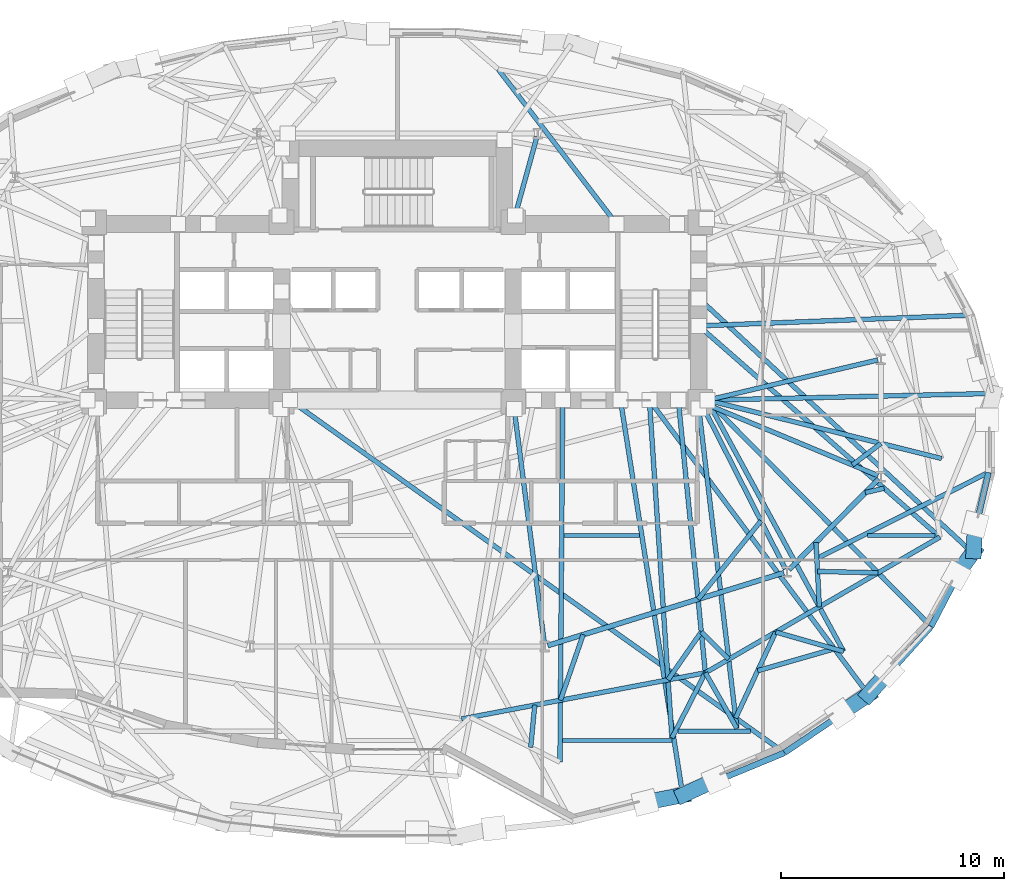
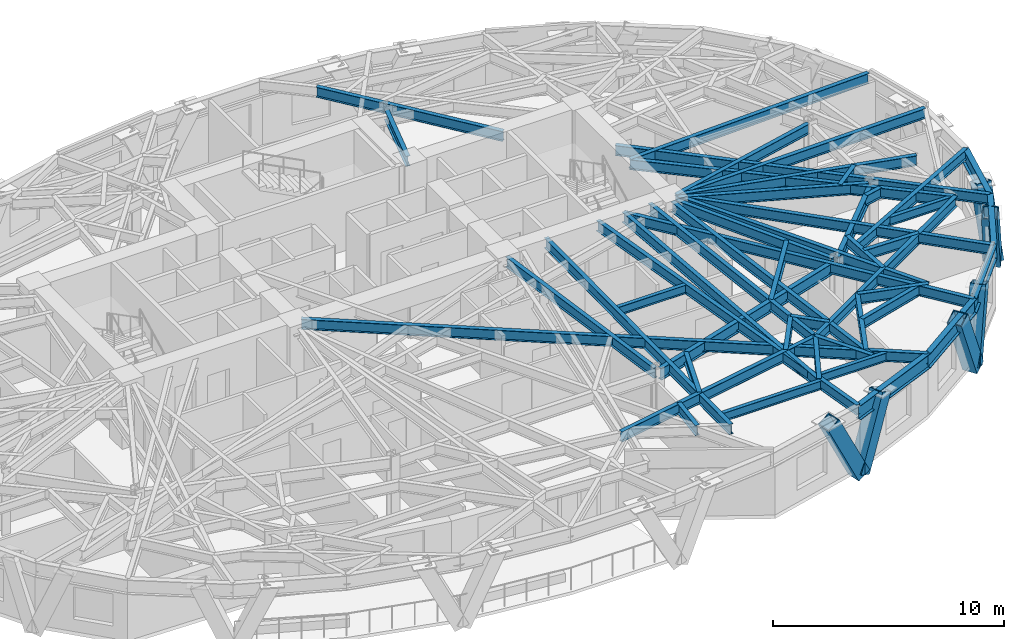
# One storey, part 4 of 15: 48 beams, 6 members.
"""IFC4 building model written with IfcOpenShell, lengths in metres."""

import ifcopenshell
import ifcopenshell.guid

model = None  # the IFC model being written
_history = None  # IfcOwnerHistory: only IFC2X3 demands one
_inside = {}  # id of a spatial element -> (the spatial element, [elements in it])
_under = {}  # id of a project, library or spatial element -> (it, [spatial elements below it])
_declared = {}  # id of a project -> (the project, [libraries it declares])
_typed = {}  # id of a type object -> (the type object, [elements of that type])
_made_of = {}  # id of a material, layer set ... -> (it, [elements and type objects made of it])


def new_model(schema):
    """Start an empty IFC model of exactly this schema.

    Asked for "IFC4X3", IfcOpenShell would pick the latest addendum, in which some entities
    have other attributes; the version numbers below select the first issue.
    IFC2X3 requires an IfcOwnerHistory on every rooted entity: one is made here for all.
    """
    global model, _history
    if schema == "IFC4X3":
        model = ifcopenshell.file(schema_version=(4, 3, 0, 0))
    else:
        model = ifcopenshell.file(schema=schema)
    _inside.clear()
    _under.clear()
    _declared.clear()
    _typed.clear()
    _made_of.clear()
    _history = None
    if model.schema == "IFC2X3":
        org = make("IfcOrganization", Name="unknown")
        user = make(
            "IfcPersonAndOrganization",
            ThePerson=make("IfcPerson", FamilyName="unknown"),
            TheOrganization=org,
        )
        app = make(
            "IfcApplication",
            ApplicationDeveloper=org,
            Version="unknown",
            ApplicationFullName="unknown",
            ApplicationIdentifier="unknown",
        )
        _history = make(
            "IfcOwnerHistory",
            OwningUser=user,
            OwningApplication=app,
            ChangeAction="ADDED",
            CreationDate=0,
        )
    return model


def make(cls, **values):
    """One entity of the class cls with the attributes given. An attribute that is None is left unset."""
    return model.create_entity(
        cls, **{name: value for name, value in values.items() if value is not None}
    )


def rooted(cls, **values):
    """An entity with a GlobalId (a new one), such as an element, a storey or a relation."""
    return make(cls, GlobalId=ifcopenshell.guid.new(), OwnerHistory=_history, **values)


def si_unit(unit_type, name, prefix=None):
    """IfcSIUnit, for example si_unit("LENGTHUNIT", "METRE", prefix="MILLI")."""
    return make("IfcSIUnit", UnitType=unit_type, Prefix=prefix, Name=name)


def assignment(units):
    """IfcUnitAssignment: the units of a project."""
    return None if units is None else make("IfcUnitAssignment", Units=units)


def point(xyz):
    """IfcCartesianPoint."""
    return None if xyz is None else make("IfcCartesianPoint", Coordinates=xyz)


def direction(xyz):
    """IfcDirection."""
    return None if xyz is None else make("IfcDirection", DirectionRatios=xyz)


def frame(location, z_axis=None, x_axis=None):
    """IfcAxis2Placement3D, a coordinate frame: its origin and axes. An axis left out is left unset."""
    return make(
        "IfcAxis2Placement3D",
        Location=point(location),
        Axis=direction(z_axis),
        RefDirection=direction(x_axis),
    )


def frame_2d(location, x_axis=None):
    """IfcAxis2Placement2D, a coordinate frame in the plane: its origin and x axis."""
    return make(
        "IfcAxis2Placement2D", Location=point(location), RefDirection=direction(x_axis)
    )


def origin():
    """The frame at (0, 0, 0) with its axes left unset."""
    return frame((0.0, 0.0, 0.0))


def origin_2d():
    """The frame at (0, 0) in the plane with its x axis left unset."""
    return frame_2d((0.0, 0.0))


def place(relative_to, where):
    """IfcLocalPlacement: puts the frame where relative to a parent placement (None: the world)."""
    return make(
        "IfcLocalPlacement", PlacementRelTo=relative_to, RelativePlacement=where
    )


def context(
    kind, dimensions, precision=None, world=None, true_north=None, identifier=None
):
    """IfcGeometricRepresentationContext, for example the 3D "Model" context."""
    return make(
        "IfcGeometricRepresentationContext",
        ContextIdentifier=identifier,
        ContextType=kind,
        CoordinateSpaceDimension=dimensions,
        Precision=precision,
        WorldCoordinateSystem=world,
        TrueNorth=true_north,
    )


def subcontext(parent, identifier, kind, view, scale=None):
    """IfcGeometricRepresentationSubContext, for example "Body" below "Model"."""
    return make(
        "IfcGeometricRepresentationSubContext",
        ContextIdentifier=identifier,
        ContextType=kind,
        ParentContext=parent,
        TargetScale=scale,
        TargetView=view,
    )


def project(units=None, contexts=None):
    """IfcProject with its units and contexts."""
    return rooted(
        "IfcProject",
        Name="project",
        RepresentationContexts=contexts,
        UnitsInContext=assignment(units),
    )


def spatial(cls, under=None, at=None, **own):
    """A site, building, storey or space (cls), placed at a placement, below another one or the project."""
    s = rooted(cls, ObjectPlacement=at, **own)
    if under is not None:
        _under.setdefault(under.id(), (under, []))[1].append(s)
    return s


def profile(cls, at=None, kind="AREA", **sizes):
    """A parametric profile (cls). Its sizes go by their IFC names, for example OverallWidth=200.0."""
    return make(cls, ProfileType=kind, Position=at, **sizes)


def hollow_rectangle(**sizes):
    """IfcRectangleHollowProfileDef."""
    return profile("IfcRectangleHollowProfileDef", **sizes)


def i_section(**sizes):
    """IfcIShapeProfileDef."""
    return profile("IfcIShapeProfileDef", **sizes)


def extrude(swept, where, along, depth):
    """IfcExtrudedAreaSolid: the profile swept, set in the frame where, extruded along a direction by depth."""
    return make(
        "IfcExtrudedAreaSolid",
        SweptArea=swept,
        Position=where,
        ExtrudedDirection=direction(along),
        Depth=depth,
    )


def shape(context_of_items, identifier, shape_type, items):
    """IfcShapeRepresentation: the items that make up one representation, for example the "Body"."""
    return make(
        "IfcShapeRepresentation",
        ContextOfItems=context_of_items,
        RepresentationIdentifier=identifier,
        RepresentationType=shape_type,
        Items=items,
    )


def material(Name=None, Category=None):
    """IfcMaterial."""
    return make("IfcMaterial", Name=Name, Category=Category)


def material_profile(
    of_material, cross_section, Name=None, Category=None, Priority=None
):
    """IfcMaterialProfile: a cross section and its material."""
    return make(
        "IfcMaterialProfile",
        Name=Name,
        Material=of_material,
        Profile=cross_section,
        Priority=Priority,
        Category=Category,
    )


def profile_set(profiles, Name=None, composite=None):
    """IfcMaterialProfileSet."""
    return make(
        "IfcMaterialProfileSet",
        Name=Name,
        MaterialProfiles=profiles,
        CompositeProfile=composite,
    )


def made_of(thing, what):
    """Note that an element or type object is made of a material, layer set ...; save() writes the relation."""
    if what is not None:
        _made_of.setdefault(what.id(), (what, []))[1].append(thing)
    return thing


def type_object(cls, material=None, **own):
    """A type object (cls), such as IfcWallType, which elements share."""
    return made_of(rooted(cls, **own), material)


def element(
    cls,
    number,
    at=None,
    inside=None,
    cuts=None,
    type_object=None,
    material=None,
    context=None,
    identifier="Body",
    shape_type=None,
    held_by="IfcProductDefinitionShape",
    body=None,
    shapes=None,
    **own,
):
    """One element of the class cls, such as IfcWall. Its Tag is "e" and its number.

    at: its placement. inside: the storey or other place that contains it. cuts: it is an
    opening in that element (IfcRelVoidsElement). A single representation is given by context,
    identifier, shape_type and body (its items); several are given by shapes. held_by: the class
    of the entity that holds the representations. save() writes the other relations.
    """
    e = rooted(cls, Tag="e%d" % number, ObjectPlacement=at, **own)
    if body is not None:
        shapes = [shape(context, identifier, shape_type, body)]
    if shapes is not None:
        e.Representation = make(held_by, Representations=shapes)
    if inside is not None:
        _inside.setdefault(inside.id(), (inside, []))[1].append(e)
    if cuts is not None:
        rooted(
            "IfcRelVoidsElement", RelatingBuildingElement=cuts, RelatedOpeningElement=e
        )
    if type_object is not None:
        _typed.setdefault(type_object.id(), (type_object, []))[1].append(e)
    return made_of(e, material)


def aggregate(whole, parts):
    """IfcRelAggregates: a whole, such as a stair, and the parts it consists of."""
    return rooted("IfcRelAggregates", RelatingObject=whole, RelatedObjects=parts)


def save(model, path):
    """Write the relations noted so far, then the file.

    IfcRelAggregates (storeys below a building ...), IfcRelContainedInSpatialStructure (elements
    in a storey), IfcRelDefinesByType, IfcRelAssociatesMaterial and IfcRelDeclares: one each for
    every whole, place, type object, material and project.
    """
    for whole, parts in _under.values():
        aggregate(whole, parts)
    for where, things in _inside.values():
        rooted(
            "IfcRelContainedInSpatialStructure",
            RelatedElements=things,
            RelatingStructure=where,
        )
    for kind, things in _typed.values():
        rooted("IfcRelDefinesByType", RelatedObjects=things, RelatingType=kind)
    for what, things in _made_of.values():
        rooted("IfcRelAssociatesMaterial", RelatedObjects=things, RelatingMaterial=what)
    for by, libraries in _declared.values():
        rooted("IfcRelDeclares", RelatingContext=by, RelatedDefinitions=libraries)
    model.write(path)


model = new_model("IFC4")

# Units and contexts
model_context = context("Model", 3, precision=1e-05, world=origin(), true_north=direction((0.0, 1.0)))
body_context = subcontext(model_context, "Body", "Model", "MODEL_VIEW")
ifc_project = project(units=[si_unit("LENGTHUNIT", "METRE"), si_unit("AREAUNIT", "SQUARE_METRE"), si_unit("VOLUMEUNIT", "CUBIC_METRE"), si_unit("PLANEANGLEUNIT", "RADIAN"), si_unit("MASSUNIT", "GRAM", prefix="KILO")], contexts=[model_context])

# Site, building, storey
site_placement = place(None, origin())
site = spatial("IfcSite", under=ifc_project, at=site_placement, CompositionType="ELEMENT")
building_placement = place(site_placement, origin())
building = spatial("IfcBuilding", under=site, at=building_placement, Name="Keldmark Tower", CompositionType="ELEMENT")
storey_placement = place(building_placement, frame((0.0, 0.0, 114.10009765625)))
storey = spatial("IfcBuildingStorey", under=building, at=storey_placement, Name="L30", CompositionType="ELEMENT", Elevation=114.10009765625)

# Beams
ifc_material_1 = material(Name="Steel ASTM A992 Grade 50", Category="steel")
ifc_material_profile_1 = material_profile(ifc_material_1, i_section(OverallWidth=0.19091796875, OverallDepth=0.45703125, WebThickness=0.009033203125, FlangeThickness=0.014404296875, at=origin_2d()), Name="W18X50")
ifc_profile_set_1 = profile_set([ifc_material_profile_1], Name="Steel ASTM A992 Grade 50")
beam_type_1 = type_object("IfcBeamType", Name="Composite Floor Joist W18X50", PredefinedType="JOIST", material=ifc_profile_set_1)
beam_1_placement = place(storey_placement, frame((7.398193359375, -13.800048828125, 3.081298828125), z_axis=(1.0, 0.0, 0.0), x_axis=(0.0, 1.0, 0.0)))
element("IfcBeam", 1, at=beam_1_placement, inside=storey, type_object=beam_type_1, Name="L30 Composite Floor Joist J03", PredefinedType="JOIST", context=body_context, shape_type="SweptSolid", body=[
    extrude(i_section(OverallWidth=0.19091796875, OverallDepth=0.45703125, WebThickness=0.009033203125, FlangeThickness=0.014404296875, at=origin_2d()), origin(), (0.0, 0.0, 1.0), 4.92236328125),
])
beam_2_placement = place(storey_placement, frame((12.583984375, -13.3798828125, 3.081298828125), z_axis=(1.0, 0.0, 0.0), x_axis=(0.0, 1.0, 0.0)))
element("IfcBeam", 2, at=beam_2_placement, inside=storey, type_object=beam_type_1, Name="L30 Composite Floor Joist J04", PredefinedType="JOIST", context=body_context, shape_type="SweptSolid", body=[
    extrude(i_section(OverallWidth=0.19091796875, OverallDepth=0.45703125, WebThickness=0.009033203125, FlangeThickness=0.014404296875, at=origin_2d()), origin(), (0.0, 0.0, 1.0), 3.25732421875),
])
beam_3_placement = place(storey_placement, frame((7.468017578125, -4.60009765625, 3.081298828125), z_axis=(1.0, 0.0, 0.0), x_axis=(0.0, 1.0, 0.0)))
element("IfcBeam", 3, at=beam_3_placement, inside=storey, type_object=beam_type_1, Name="L30 Composite Floor Joist J07", PredefinedType="JOIST", context=body_context, shape_type="SweptSolid", body=[
    extrude(i_section(OverallWidth=0.19091796875, OverallDepth=0.45703125, WebThickness=0.009033203125, FlangeThickness=0.014404296875, at=origin_2d()), origin(), (0.0, 0.0, 1.0), 3.40283203125),
])
beam_4_placement = place(storey_placement, frame((21.10009765625, -4.60009765625, 3.081298828125), z_axis=(1.0, 0.0, 0.0), x_axis=(0.0, 1.0, 0.0)))
element("IfcBeam", 4, at=beam_4_placement, inside=storey, type_object=beam_type_1, Name="L30 Composite Floor Joist J08", PredefinedType="JOIST", context=body_context, shape_type="SweptSolid", body=[
    extrude(i_section(OverallWidth=0.19091796875, OverallDepth=0.45703125, WebThickness=0.009033203125, FlangeThickness=0.014404296875, at=origin_2d()), origin(), (0.0, 0.0, 1.0), 3.0146484375),
])

# Members
ifc_material_2 = material(Name="Steel ASTM A572 Grade 50", Category="steel")
ifc_material_profile_2 = material_profile(ifc_material_2, hollow_rectangle(XDim=0.699951171875, YDim=0.699951171875, WallThickness=0.044921875, at=origin_2d()), Name="BOX700X700X45")
ifc_profile_set_2 = profile_set([ifc_material_profile_2], Name="Steel ASTM A572 Grade 50")
member_type = type_object("IfcMemberType", Name="Diagrid Zone 2 Brace BOX700X700X45", PredefinedType="BRACE", material=ifc_profile_set_2)
member_1_placement = place(storey_placement, frame((12.830322265625, -16.23779296875, -0.27001953125), z_axis=(-0.441892056397, -0.088126441468, 0.892729041091), x_axis=(0.195578418246, -0.980688065756, 0.0)))
element("IfcMember", 5, at=member_1_placement, inside=storey, type_object=member_type, Name="L30 Perimeter Diagrid Brace 13B", PredefinedType="BRACE", context=body_context, shape_type="SweptSolid", body=[
    extrude(hollow_rectangle(XDim=0.699951171875, YDim=0.699951171875, WallThickness=0.044921875, at=origin_2d()), origin(), (0.0, 0.0, 1.0), 3.875732421875),
])
member_2_placement = place(storey_placement, frame((12.8193359375, -16.242431640625, -0.27001953125), z_axis=(0.386231402682, 0.179645482173, 0.904739080795), x_axis=(-0.42173648065, 0.906718446316, 0.0)))
element("IfcMember", 6, at=member_2_placement, inside=storey, type_object=member_type, Name="L30 Perimeter Diagrid Brace 14A", PredefinedType="BRACE", context=body_context, shape_type="SweptSolid", body=[
    extrude(hollow_rectangle(XDim=0.699951171875, YDim=0.699951171875, WallThickness=0.044921875, at=origin_2d()), origin(), (0.0, 0.0, 1.0), 3.82421875),
])
member_3_placement = place(storey_placement, frame((21.13330078125, -11.73291015625, -0.27001953125), z_axis=(-0.335907307818, -0.225830883089, 0.914421507182), x_axis=(0.55793323686, -0.829885837454, 0.0)))
element("IfcMember", 7, at=member_3_placement, inside=storey, type_object=member_type, Name="L30 Perimeter Diagrid Brace 14B", PredefinedType="BRACE", context=body_context, shape_type="SweptSolid", body=[
    extrude(hollow_rectangle(XDim=0.699951171875, YDim=0.699951171875, WallThickness=0.044921875, at=origin_2d()), origin(), (0.0, 0.0, 1.0), 3.78369140625),
])
member_4_placement = place(storey_placement, frame((21.125, -11.7412109375, -0.27001953125), z_axis=(0.247510772336, 0.277770094066, 0.928214518535), x_axis=(-0.74660260832, 0.665270279849, 0.0)))
element("IfcMember", 8, at=member_4_placement, inside=storey, type_object=member_type, Name="L30 Perimeter Diagrid Brace 15A", PredefinedType="BRACE", context=body_context, shape_type="SweptSolid", body=[
    extrude(hollow_rectangle(XDim=0.699951171875, YDim=0.699951171875, WallThickness=0.044921875, at=origin_2d()), origin(), (0.0, 0.0, 1.0), 3.7275390625),
])
member_5_placement = place(storey_placement, frame((25.86474609375, -5.3017578125, -0.27001953125), z_axis=(-0.212816971164, -0.293313872494, 0.932027847753), x_axis=(0.809394785299, -0.587264915971, 0.0)))
element("IfcMember", 9, at=member_5_placement, inside=storey, type_object=member_type, Name="L30 Perimeter Diagrid Brace 15B", PredefinedType="BRACE", context=body_context, shape_type="SweptSolid", body=[
    extrude(hollow_rectangle(XDim=0.699951171875, YDim=0.699951171875, WallThickness=0.044921875, at=origin_2d()), origin(), (0.0, 0.0, 1.0), 3.71240234375),
])
member_6_placement = place(storey_placement, frame((25.860107421875, -5.3125, -0.27001953125), z_axis=(0.018307233902, 0.330994788946, 0.943454977663), x_axis=(-0.998473917149, 0.055225327276, 0.0)))
element("IfcMember", 10, at=member_6_placement, inside=storey, type_object=member_type, Name="L30 Perimeter Diagrid Brace 16A", PredefinedType="BRACE", context=body_context, shape_type="SweptSolid", body=[
    extrude(hollow_rectangle(XDim=0.699951171875, YDim=0.699951171875, WallThickness=0.044921875, at=origin_2d()), origin(), (0.0, 0.0, 1.0), 3.667236328125),
])

# Beams
ifc_material_3 = material(Name="Steel ASTM A992 Grade 50", Category="steel")
ifc_material_profile_3 = material_profile(ifc_material_3, i_section(OverallWidth=0.22900390625, OverallDepth=0.612060546875, WebThickness=0.011962890625, FlangeThickness=0.01953125, at=origin_2d()), Name="W24X84")
ifc_profile_set_3 = profile_set([ifc_material_profile_3], Name="Steel ASTM A992 Grade 50")
beam_type_2 = type_object("IfcBeamType", Name="Primary Floor Girder W24X84", PredefinedType="BEAM", material=ifc_profile_set_3)
beam_5_placement = place(storey_placement, frame((6.74658203125, -9.5380859375, 3.00390625), z_axis=(0.955607954968, 0.294641199432, 0.0), x_axis=(-0.294641199432, 0.955607954968, 0.0)))
element("IfcBeam", 11, at=beam_5_placement, inside=storey, type_object=beam_type_2, Name="L30 Floor Ring Girder FG-R10", PredefinedType="BEAM", context=body_context, shape_type="SweptSolid", body=[
    extrude(i_section(OverallWidth=0.22900390625, OverallDepth=0.612060546875, WebThickness=0.011962890625, FlangeThickness=0.01953125, at=origin_2d()), origin(), (0.0, 0.0, 1.0), 11.089111328125),
])
beam_6_placement = place(storey_placement, frame((17.57568359375, -6.130126953125, 3.00390625), z_axis=(0.703425791323, 0.71076870788, 0.0), x_axis=(-0.71076870788, 0.703425791323, 0.0)))
element("IfcBeam", 12, at=beam_6_placement, inside=storey, type_object=beam_type_2, Name="L30 Floor Ring Girder FG-R11", PredefinedType="BEAM", context=body_context, shape_type="SweptSolid", body=[
    extrude(i_section(OverallWidth=0.22900390625, OverallDepth=0.612060546875, WebThickness=0.011962890625, FlangeThickness=0.01953125, at=origin_2d()), origin(), (0.0, 0.0, 1.0), 5.71875),
])
ifc_material_4 = material(Name="Steel ASTM A992 Grade 50", Category="steel")
ifc_material_profile_4 = material_profile(ifc_material_4, i_section(OverallWidth=0.2099609375, OverallDepth=0.537109375, WebThickness=0.010986328125, FlangeThickness=0.017333984375, at=origin_2d()), Name="W21X68")
ifc_profile_set_4 = profile_set([ifc_material_profile_4], Name="Steel ASTM A992 Grade 50")
beam_type_3 = type_object("IfcBeamType", Name="Radial Tie Girder W21X68", PredefinedType="BEAM", material=ifc_profile_set_4)
beam_7_placement = place(storey_placement, frame((21.560546875, 3.27783203125, 3.04150390625), z_axis=(-0.973283778272, -0.229605502879, 0.0), x_axis=(0.229605502879, -0.973283778272, 0.0)))
element("IfcBeam", 13, at=beam_7_placement, inside=storey, type_object=beam_type_3, Name="L30 Floor Radial Girder FG-C01", PredefinedType="BEAM", context=body_context, shape_type="SweptSolid", body=[
    extrude(i_section(OverallWidth=0.2099609375, OverallDepth=0.537109375, WebThickness=0.010986328125, FlangeThickness=0.017333984375, at=origin_2d()), origin(), (0.0, 0.0, 1.0), 7.85888671875),
])
beam_8_placement = place(storey_placement, frame((6.26171875, 13.297607421875, 3.04150390625), z_axis=(-0.265997186795, -0.963973804944, 0.0), x_axis=(0.963973804944, -0.265997186795, 0.0)))
element("IfcBeam", 14, at=beam_8_placement, inside=storey, type_object=beam_type_3, Name="L30 Floor Radial Girder FG-C03", PredefinedType="BEAM", context=body_context, shape_type="SweptSolid", body=[
    extrude(i_section(OverallWidth=0.2099609375, OverallDepth=0.537109375, WebThickness=0.010986328125, FlangeThickness=0.017333984375, at=origin_2d()), origin(), (0.0, 0.0, 1.0), 3.67138671875),
])
beam_9_placement = place(storey_placement, frame((6.594970703125, -9.4404296875, 3.04150390625), z_axis=(-0.127642040045, 0.991820301069, 0.0), x_axis=(-0.991820301069, -0.127642040045, 0.0)))
element("IfcBeam", 15, at=beam_9_placement, inside=storey, type_object=beam_type_3, Name="L30 Floor Radial Girder FG-C10", PredefinedType="BEAM", context=body_context, shape_type="SweptSolid", body=[
    extrude(i_section(OverallWidth=0.2099609375, OverallDepth=0.537109375, WebThickness=0.010986328125, FlangeThickness=0.017333984375, at=origin_2d()), origin(), (0.0, 0.0, 1.0), 10.609619140625),
])
beam_10_placement = place(storey_placement, frame((17.413818359375, -6.104736328125, 3.04150390625), z_axis=(-0.453028637759, 0.891495963743, 0.0), x_axis=(-0.891495963743, -0.453028637759, 0.0)))
element("IfcBeam", 16, at=beam_10_placement, inside=storey, type_object=beam_type_3, Name="L30 Floor Radial Girder FG-C11", PredefinedType="BEAM", context=body_context, shape_type="SweptSolid", body=[
    extrude(i_section(OverallWidth=0.2099609375, OverallDepth=0.537109375, WebThickness=0.010986328125, FlangeThickness=0.017333984375, at=origin_2d()), origin(), (0.0, 0.0, 1.0), 8.09814453125),
])
beam_11_placement = place(storey_placement, frame((21.567626953125, -1.912109375, 3.04150390625), z_axis=(-0.923397393633, 0.383845350932, 0.0), x_axis=(-0.383845350932, -0.923397393633, 0.0)))
element("IfcBeam", 17, at=beam_11_placement, inside=storey, type_object=beam_type_3, Name="L30 Floor Radial Girder FG-C12", PredefinedType="BEAM", context=body_context, shape_type="SweptSolid", body=[
    extrude(i_section(OverallWidth=0.2099609375, OverallDepth=0.537109375, WebThickness=0.010986328125, FlangeThickness=0.017333984375, at=origin_2d()), origin(), (0.0, 0.0, 1.0), 8.30859375),
])
beam_12_placement = place(storey_placement, frame((20.416748046875, -1.433837890625, 3.04150390625), z_axis=(0.797584371586, 0.60320740231, 0.0), x_axis=(-0.60320740231, 0.797584371586, 0.0)))
element("IfcBeam", 18, at=beam_12_placement, inside=storey, type_object=beam_type_3, Name="L30 Framing Pin Header PH-006", PredefinedType="BEAM", context=body_context, shape_type="SweptSolid", body=[
    extrude(i_section(OverallWidth=0.2099609375, OverallDepth=0.537109375, WebThickness=0.010986328125, FlangeThickness=0.017333984375, at=origin_2d()), origin(), (0.0, 0.0, 1.0), 1.605224609375),
])
beam_13_placement = place(storey_placement, frame((13.89990234375, 1.47509765625, 3.04150390625), z_axis=(0.970393627103, -0.241528897813, 0.0), x_axis=(0.241528897813, 0.970393627103, 0.0)))
element("IfcBeam", 19, at=beam_13_placement, inside=storey, type_object=beam_type_3, Name="L30 Sub-Ring Step Girder STP1-M12", PredefinedType="BEAM", context=body_context, shape_type="SweptSolid", body=[
    extrude(i_section(OverallWidth=0.2099609375, OverallDepth=0.537109375, WebThickness=0.010986328125, FlangeThickness=0.017333984375, at=origin_2d()), origin(), (0.0, 0.0, 1.0), 10.843017578125),
])
beam_14_placement = place(storey_placement, frame((9.83935546875, 9.375, 3.04150390625), z_axis=(-0.607711148338, 0.794158145577, 0.0), x_axis=(-0.794158145577, -0.607711148338, 0.0)))
element("IfcBeam", 20, at=beam_14_placement, inside=storey, type_object=beam_type_3, Name="L30 Sub-Ring Step Girder STP2-M03", PredefinedType="BEAM", context=body_context, shape_type="SweptSolid", body=[
    extrude(i_section(OverallWidth=0.2099609375, OverallDepth=0.537109375, WebThickness=0.010986328125, FlangeThickness=0.017333984375, at=origin_2d()), origin(), (0.0, 0.0, 1.0), 8.7470703125),
])
beam_15_placement = place(storey_placement, frame((16.313232421875, -3.93896484375, 3.04150390625), z_axis=(-0.625526303057, -0.780203078809, 0.0), x_axis=(0.780203078809, -0.625526303057, 0.0)))
element("IfcBeam", 21, at=beam_15_placement, inside=storey, type_object=beam_type_3, Name="L30 Framing Pin Header PH-012", PredefinedType="BEAM", context=body_context, shape_type="SweptSolid", body=[
    extrude(i_section(OverallWidth=0.2099609375, OverallDepth=0.537109375, WebThickness=0.010986328125, FlangeThickness=0.017333984375, at=origin_2d()), origin(), (0.0, 0.0, 1.0), 4.510986328125),
])
beam_16_placement = place(storey_placement, frame((12.603515625, 1.47509765625, 3.04150390625), z_axis=(0.098898097703, -0.995097566207, 0.0), x_axis=(0.995097566207, 0.098898097703, 0.0)))
element("IfcBeam", 22, at=beam_16_placement, inside=storey, type_object=beam_type_3, Name="L30 Sub-Ring Step Girder STP2-M11", PredefinedType="BEAM", context=body_context, shape_type="SweptSolid", body=[
    extrude(i_section(OverallWidth=0.2099609375, OverallDepth=0.537109375, WebThickness=0.010986328125, FlangeThickness=0.017333984375, at=origin_2d()), origin(), (0.0, 0.0, 1.0), 12.293701171875),
])
beam_17_placement = place(storey_placement, frame((20.9951171875, -2.675048828125, 3.04150390625), z_axis=(0.973766467199, 0.227549703051, 0.0), x_axis=(-0.227549703051, 0.973766467199, 0.0)))
element("IfcBeam", 23, at=beam_17_placement, inside=storey, type_object=beam_type_3, Name="L30 Framing Pin Header PH-013", PredefinedType="BEAM", context=body_context, shape_type="SweptSolid", body=[
    extrude(i_section(OverallWidth=0.2099609375, OverallDepth=0.537109375, WebThickness=0.010986328125, FlangeThickness=0.017333984375, at=origin_2d()), origin(), (0.0, 0.0, 1.0), 0.867919921875),
])
beam_18_placement = place(storey_placement, frame((13.52490234375, 4.80712890625, 3.04150390625), z_axis=(0.752188485231, -0.658948012127, 0.0), x_axis=(0.658948012127, 0.752188485231, 0.0)))
element("IfcBeam", 24, at=beam_18_placement, inside=storey, type_object=beam_type_3, Name="L30 Sub-Ring Step Girder STP2-M12", PredefinedType="BEAM", context=body_context, shape_type="SweptSolid", body=[
    extrude(i_section(OverallWidth=0.2099609375, OverallDepth=0.537109375, WebThickness=0.010986328125, FlangeThickness=0.017333984375, at=origin_2d()), origin(), (0.0, 0.0, 1.0), 14.380126953125),
])
beam_19_placement = place(storey_placement, frame((2.88232421875, -12.829345703125, 3.04150390625), z_axis=(0.982539374854, 0.186054768447, 0.0), x_axis=(-0.186054768447, 0.982539374854, 0.0)))
element("IfcBeam", 25, at=beam_19_placement, inside=storey, type_object=beam_type_3, Name="L30 Perimeter Collector Ring Beam CRG2-M10", PredefinedType="BEAM", context=body_context, shape_type="SweptSolid", body=[
    extrude(i_section(OverallWidth=0.2099609375, OverallDepth=0.537109375, WebThickness=0.010986328125, FlangeThickness=0.017333984375, at=origin_2d()), origin(), (0.0, 0.0, 1.0), 11.13134765625),
])
beam_20_placement = place(storey_placement, frame((13.8193359375, -10.75830078125, 3.04150390625), z_axis=(0.865505102049, 0.500900108133, 0.0), x_axis=(-0.500900108133, 0.865505102049, 0.0)))
element("IfcBeam", 26, at=beam_20_placement, inside=storey, type_object=beam_type_3, Name="L30 Perimeter Collector Ring Beam CRG2-M11", PredefinedType="BEAM", context=body_context, shape_type="SweptSolid", body=[
    extrude(i_section(OverallWidth=0.2099609375, OverallDepth=0.537109375, WebThickness=0.010986328125, FlangeThickness=0.017333984375, at=origin_2d()), origin(), (0.0, 0.0, 1.0), 12.1572265625),
])
beam_21_placement = place(storey_placement, frame((13.89990234375, 1.47509765625, 3.04150390625), z_axis=(0.99972532749, 0.023436500908, 0.0), x_axis=(-0.023436500908, 0.99972532749, 0.0)))
element("IfcBeam", 27, at=beam_21_placement, inside=storey, type_object=beam_type_3, Name="L30 Perimeter Radial Tie Girder RT-01", PredefinedType="BEAM", context=body_context, shape_type="SweptSolid", body=[
    extrude(i_section(OverallWidth=0.2099609375, OverallDepth=0.537109375, WebThickness=0.010986328125, FlangeThickness=0.017333984375, at=origin_2d()), origin(), (0.0, 0.0, 1.0), 12.62548828125),
])
beam_22_placement = place(storey_placement, frame((13.52490234375, 4.80712890625, 3.04150390625), z_axis=(0.999220338783, 0.039480559295, 0.0), x_axis=(-0.039480559295, 0.999220338783, 0.0)))
element("IfcBeam", 28, at=beam_22_placement, inside=storey, type_object=beam_type_3, Name="L30 Perimeter Radial Tie Girder RT-02", PredefinedType="BEAM", context=body_context, shape_type="SweptSolid", body=[
    extrude(i_section(OverallWidth=0.2099609375, OverallDepth=0.537109375, WebThickness=0.010986328125, FlangeThickness=0.017333984375, at=origin_2d()), origin(), (0.0, 0.0, 1.0), 12.20068359375),
])
beam_23_placement = place(storey_placement, frame((8.336181640625, -9.048095703125, 3.04150390625), z_axis=(-0.327684144541, -0.944787331317, 0.0), x_axis=(0.944787331317, -0.327684144541, 0.0)))
element("IfcBeam", 29, at=beam_23_placement, inside=storey, type_object=beam_type_3, Name="L30 Framing Pin Header PH-041", PredefinedType="BEAM", context=body_context, shape_type="SweptSolid", body=[
    extrude(i_section(OverallWidth=0.2099609375, OverallDepth=0.537109375, WebThickness=0.010986328125, FlangeThickness=0.017333984375, at=origin_2d()), origin(), (0.0, 0.0, 1.0), 3.113525390625),
])
beam_24_placement = place(storey_placement, frame((7.41796875, 1.47509765625, 3.04150390625), z_axis=(-0.007577932078, -0.99997128706, 0.0), x_axis=(0.99997128706, -0.007577932078, 0.0)))
element("IfcBeam", 30, at=beam_24_placement, inside=storey, type_object=beam_type_3, Name="L30 Intermediate Radial Step Girder RT-26M", PredefinedType="BEAM", context=body_context, shape_type="SweptSolid", body=[
    extrude(i_section(OverallWidth=0.2099609375, OverallDepth=0.537109375, WebThickness=0.010986328125, FlangeThickness=0.017333984375, at=origin_2d()), origin(), (0.0, 0.0, 1.0), 16.237548828125),
])
beam_25_placement = place(storey_placement, frame((6.16357421875, -12.2080078125, 3.04150390625), z_axis=(-0.095534272661, -0.995426141282, 0.0), x_axis=(0.995426141282, -0.095534272661, 0.0)))
element("IfcBeam", 31, at=beam_25_placement, inside=storey, type_object=beam_type_3, Name="L30 Framing Pin Header PH-042", PredefinedType="BEAM", context=body_context, shape_type="SweptSolid", body=[
    extrude(i_section(OverallWidth=0.2099609375, OverallDepth=0.537109375, WebThickness=0.010986328125, FlangeThickness=0.017333984375, at=origin_2d()), origin(), (0.0, 0.0, 1.0), 1.906494140625),
])
beam_26_placement = place(storey_placement, frame((13.636962890625, -8.92333984375, 3.04150390625), z_axis=(-0.569859364425, -0.82174223743, 0.0), x_axis=(0.82174223743, -0.569859364425, 0.0)))
element("IfcBeam", 32, at=beam_26_placement, inside=storey, type_object=beam_type_3, Name="L30 Framing Pin Header PH-043", PredefinedType="BEAM", context=body_context, shape_type="SweptSolid", body=[
    extrude(i_section(OverallWidth=0.2099609375, OverallDepth=0.537109375, WebThickness=0.010986328125, FlangeThickness=0.017333984375, at=origin_2d()), origin(), (0.0, 0.0, 1.0), 2.618896484375),
])
beam_27_placement = place(storey_placement, frame((11.30712890625, 1.47509765625, 3.04150390625), z_axis=(0.066584062764, -0.997780818911, 0.0), x_axis=(0.997780818911, 0.066584062764, 0.0)))
element("IfcBeam", 33, at=beam_27_placement, inside=storey, type_object=beam_type_3, Name="L30 Intermediate Radial Step Girder RT-27M", PredefinedType="BEAM", context=body_context, shape_type="SweptSolid", body=[
    extrude(i_section(OverallWidth=0.2099609375, OverallDepth=0.537109375, WebThickness=0.010986328125, FlangeThickness=0.017333984375, at=origin_2d()), origin(), (0.0, 0.0, 1.0), 15.194580078125),
])
beam_28_placement = place(storey_placement, frame((13.8193359375, -10.75830078125, 3.04150390625), z_axis=(-0.456126791489, -0.889914799341, 0.0), x_axis=(0.889914799341, -0.456126791489, 0.0)))
element("IfcBeam", 34, at=beam_28_placement, inside=storey, type_object=beam_type_3, Name="L30 Local Collector Chord RT-27C", PredefinedType="BEAM", context=body_context, shape_type="SweptSolid", body=[
    extrude(i_section(OverallWidth=0.2099609375, OverallDepth=0.537109375, WebThickness=0.010986328125, FlangeThickness=0.017333984375, at=origin_2d()), origin(), (0.0, 0.0, 1.0), 3.28955078125),
])
beam_29_placement = place(storey_placement, frame((10.0107421875, 1.47509765625, 3.04150390625), z_axis=(0.155662627019, -0.987810278621, 0.0), x_axis=(0.987810278621, 0.155662627019, 0.0)))
element("IfcBeam", 35, at=beam_29_placement, inside=storey, type_object=beam_type_3, Name="L30 Perimeter Radial Tie Girder RT-27", PredefinedType="BEAM", context=body_context, shape_type="SweptSolid", body=[
    extrude(i_section(OverallWidth=0.2099609375, OverallDepth=0.537109375, WebThickness=0.010986328125, FlangeThickness=0.017333984375, at=origin_2d()), origin(), (0.0, 0.0, 1.0), 17.931396484375),
])
beam_30_placement = place(storey_placement, frame((13.636962890625, -8.92333984375, 3.04150390625), z_axis=(0.706825793029, -0.70738765773, 0.0), x_axis=(0.70738765773, 0.706825793029, 0.0)))
element("IfcBeam", 36, at=beam_30_placement, inside=storey, type_object=beam_type_3, Name="L30 Framing Pin Header PH-044", PredefinedType="BEAM", context=body_context, shape_type="SweptSolid", body=[
    extrude(i_section(OverallWidth=0.2099609375, OverallDepth=0.537109375, WebThickness=0.010986328125, FlangeThickness=0.017333984375, at=origin_2d()), origin(), (0.0, 0.0, 1.0), 1.738037109375),
])
beam_31_placement = place(storey_placement, frame((13.52490234375, 1.10009765625, 3.04150390625), z_axis=(0.118298130078, -0.992978122831, 0.0), x_axis=(0.992978122831, 0.118298130078, 0.0)))
element("IfcBeam", 37, at=beam_31_placement, inside=storey, type_object=beam_type_3, Name="L30 Intermediate Radial Step Girder RT-28M", PredefinedType="BEAM", context=body_context, shape_type="SweptSolid", body=[
    extrude(i_section(OverallWidth=0.2099609375, OverallDepth=0.537109375, WebThickness=0.010986328125, FlangeThickness=0.017333984375, at=origin_2d()), origin(), (0.0, 0.0, 1.0), 14.456787109375),
])
beam_32_placement = place(storey_placement, frame((13.8193359375, -10.75830078125, 3.04150390625), z_axis=(0.493250772855, -0.869887162268, 0.0), x_axis=(0.869887162268, 0.493250772855, 0.0)))
element("IfcBeam", 38, at=beam_32_placement, inside=storey, type_object=beam_type_3, Name="L30 Local Collector Chord RT-28C", PredefinedType="BEAM", context=body_context, shape_type="SweptSolid", body=[
    extrude(i_section(OverallWidth=0.2099609375, OverallDepth=0.537109375, WebThickness=0.010986328125, FlangeThickness=0.017333984375, at=origin_2d()), origin(), (0.0, 0.0, 1.0), 2.870361328125),
])
beam_33_placement = place(storey_placement, frame((16.97607421875, -8.931396484375, 3.04150390625), z_axis=(-0.422319878673, -0.906446865557, 0.0), x_axis=(0.906446865557, -0.422319878673, 0.0)))
element("IfcBeam", 39, at=beam_33_placement, inside=storey, type_object=beam_type_3, Name="L30 Framing Pin Header PH-045", PredefinedType="BEAM", context=body_context, shape_type="SweptSolid", body=[
    extrude(i_section(OverallWidth=0.2099609375, OverallDepth=0.537109375, WebThickness=0.010986328125, FlangeThickness=0.017333984375, at=origin_2d()), origin(), (0.0, 0.0, 1.0), 4.254150390625),
])
beam_34_placement = place(storey_placement, frame((-4.824951171875, 1.47509765625, 3.04150390625), z_axis=(0.814239080885, -0.580529688439, 0.0), x_axis=(0.580529688439, 0.814239080885, 0.0)))
element("IfcBeam", 40, at=beam_34_placement, inside=storey, type_object=beam_type_3, Name="L30 Perimeter Radial Tie Girder RT-28", PredefinedType="BEAM", context=body_context, shape_type="SweptSolid", body=[
    extrude(i_section(OverallWidth=0.2099609375, OverallDepth=0.537109375, WebThickness=0.010986328125, FlangeThickness=0.017333984375, at=origin_2d()), origin(), (0.0, 0.0, 1.0), 27.258544921875),
])
beam_35_placement = place(storey_placement, frame((18.78271484375, -4.91064453125, 3.04150390625), z_axis=(0.052607585689, -0.998615262215, 0.0), x_axis=(0.998615262215, 0.052607585689, 0.0)))
element("IfcBeam", 41, at=beam_35_placement, inside=storey, type_object=beam_type_3, Name="L30 Framing Pin Header PH-046", PredefinedType="BEAM", context=body_context, shape_type="SweptSolid", body=[
    extrude(i_section(OverallWidth=0.2099609375, OverallDepth=0.537109375, WebThickness=0.010986328125, FlangeThickness=0.017333984375, at=origin_2d()), origin(), (0.0, 0.0, 1.0), 2.89111328125),
])
beam_36_placement = place(storey_placement, frame((13.89990234375, 1.47509765625, 3.04150390625), z_axis=(0.477162394879, -0.878815139215, 0.0), x_axis=(0.878815139215, 0.477162394879, 0.0)))
element("IfcBeam", 42, at=beam_36_placement, inside=storey, type_object=beam_type_3, Name="L30 Intermediate Radial Step Girder RT-29M", PredefinedType="BEAM", context=body_context, shape_type="SweptSolid", body=[
    extrude(i_section(OverallWidth=0.2099609375, OverallDepth=0.537109375, WebThickness=0.010986328125, FlangeThickness=0.017333984375, at=origin_2d()), origin(), (0.0, 0.0, 1.0), 12.832763671875),
])
beam_37_placement = place(storey_placement, frame((16.97607421875, -8.931396484375, 3.04150390625), z_axis=(0.961483238956, -0.274863568351, 0.0), x_axis=(0.274863568351, 0.961483238956, 0.0)))
element("IfcBeam", 43, at=beam_37_placement, inside=storey, type_object=beam_type_3, Name="L30 Local Collector Chord RT-29C", PredefinedType="BEAM", context=body_context, shape_type="SweptSolid", body=[
    extrude(i_section(OverallWidth=0.2099609375, OverallDepth=0.537109375, WebThickness=0.010986328125, FlangeThickness=0.017333984375, at=origin_2d()), origin(), (0.0, 0.0, 1.0), 3.169189453125),
])
beam_38_placement = place(storey_placement, frame((16.16748046875, -10.666748046875, 3.04150390625), z_axis=(0.96156769642, 0.274567960988, 0.0), x_axis=(-0.274567960988, 0.96156769642, 0.0)))
element("IfcBeam", 44, at=beam_38_placement, inside=storey, type_object=beam_type_3, Name="L30 Framing Pin Header PH-047", PredefinedType="BEAM", context=body_context, shape_type="SweptSolid", body=[
    extrude(i_section(OverallWidth=0.2099609375, OverallDepth=0.537109375, WebThickness=0.010986328125, FlangeThickness=0.017333984375, at=origin_2d()), origin(), (0.0, 0.0, 1.0), 3.578857421875),
])
beam_39_placement = place(storey_placement, frame((11.30712890625, 1.47509765625, 3.04150390625), z_axis=(0.596885317637, -0.802326565427, 0.0), x_axis=(0.802326565427, 0.596885317637, 0.0)))
element("IfcBeam", 45, at=beam_39_placement, inside=storey, type_object=beam_type_3, Name="L30 Perimeter Radial Tie Girder RT-29", PredefinedType="BEAM", context=body_context, shape_type="SweptSolid", body=[
    extrude(i_section(OverallWidth=0.2099609375, OverallDepth=0.537109375, WebThickness=0.010986328125, FlangeThickness=0.017333984375, at=origin_2d()), origin(), (0.0, 0.0, 1.0), 16.51611328125),
])
beam_40_placement = place(storey_placement, frame((18.85107421875, -6.2099609375, 3.04150390625), z_axis=(0.999729547571, -0.023255788829, 0.0), x_axis=(0.023255788829, 0.999729547571, 0.0)))
element("IfcBeam", 46, at=beam_40_placement, inside=storey, type_object=beam_type_3, Name="L30 Framing Pin Header PH-048", PredefinedType="BEAM", context=body_context, shape_type="SweptSolid", body=[
    extrude(i_section(OverallWidth=0.2099609375, OverallDepth=0.537109375, WebThickness=0.010986328125, FlangeThickness=0.017333984375, at=origin_2d()), origin(), (0.0, 0.0, 1.0), 2.718994140625),
])
beam_41_placement = place(storey_placement, frame((13.89990234375, 1.47509765625, 3.04150390625), z_axis=(0.703483496935, -0.710711593785, 0.0), x_axis=(0.710711593785, 0.703483496935, 0.0)))
element("IfcBeam", 47, at=beam_41_placement, inside=storey, type_object=beam_type_3, Name="L30 Perimeter Radial Tie Girder RT-30", PredefinedType="BEAM", context=body_context, shape_type="SweptSolid", body=[
    extrude(i_section(OverallWidth=0.2099609375, OverallDepth=0.537109375, WebThickness=0.010986328125, FlangeThickness=0.017333984375, at=origin_2d()), origin(), (0.0, 0.0, 1.0), 14.28759765625),
])
beam_42_placement = place(storey_placement, frame((13.52490234375, 6.04296875, 3.04150390625), z_axis=(0.732451210448, -0.68081952404, 0.0), x_axis=(0.68081952404, 0.732451210448, 0.0)))
element("IfcBeam", 48, at=beam_42_placement, inside=storey, type_object=beam_type_3, Name="L30 Perimeter Radial Tie Girder RT-31", PredefinedType="BEAM", context=body_context, shape_type="SweptSolid", body=[
    extrude(i_section(OverallWidth=0.2099609375, OverallDepth=0.537109375, WebThickness=0.010986328125, FlangeThickness=0.017333984375, at=origin_2d()), origin(), (0.0, 0.0, 1.0), 16.644287109375),
])
beam_43_placement = place(storey_placement, frame((18.820556640625, -5.632568359375, 3.04150390625), z_axis=(0.893922205666, 0.448222143827, 0.0), x_axis=(-0.448222143827, 0.893922205666, 0.0)))
element("IfcBeam", 49, at=beam_43_placement, inside=storey, type_object=beam_type_3, Name="L30 Perimeter Radial Tie Girder RT-32", PredefinedType="BEAM", context=body_context, shape_type="SweptSolid", body=[
    extrude(i_section(OverallWidth=0.2099609375, OverallDepth=0.537109375, WebThickness=0.010986328125, FlangeThickness=0.017333984375, at=origin_2d()), origin(), (0.0, 0.0, 1.0), 8.615234375),
])
ifc_material_5 = material(Name="Steel ASTM A992 Grade 50", Category="steel")
ifc_material_profile_5 = material_profile(ifc_material_5, i_section(OverallWidth=0.26806640625, OverallDepth=0.77001953125, WebThickness=0.015625, FlangeThickness=0.025390625, at=origin_2d()), Name="W30X132")
ifc_profile_set_5 = profile_set([ifc_material_profile_5], Name="Steel ASTM A992 Grade 50")
beam_type_4 = type_object("IfcBeamType", Name="Spandrel Ring Beam W30X132", PredefinedType="SPANDREL", material=ifc_profile_set_5)
beam_44_placement = place(storey_placement, frame((12.802001953125, -16.23779296875, 2.9248046875), z_axis=(0.924147350217, 0.382036222218, 0.0), x_axis=(-0.382036222218, 0.924147350217, 0.0)))
element("IfcBeam", 50, at=beam_44_placement, inside=storey, type_object=beam_type_4, Name="L30 Perimeter Spandrel Ring Beam SRB-27", PredefinedType="SPANDREL", context=body_context, shape_type="SweptSolid", body=[
    extrude(i_section(OverallWidth=0.26806640625, OverallDepth=0.77001953125, WebThickness=0.015625, FlangeThickness=0.025390625, at=origin_2d()), origin(), (0.0, 0.0, 1.0), 4.943115234375),
])
beam_45_placement = place(storey_placement, frame((17.3701171875, -14.349365234375, 2.9248046875), z_axis=(0.827683347515, 0.561195399345, 0.0), x_axis=(-0.561195399345, 0.827683347515, 0.0)))
element("IfcBeam", 51, at=beam_45_placement, inside=storey, type_object=beam_type_4, Name="L30 Perimeter Spandrel Ring Beam SRB-28", PredefinedType="SPANDREL", context=body_context, shape_type="SweptSolid", body=[
    extrude(i_section(OverallWidth=0.26806640625, OverallDepth=0.77001953125, WebThickness=0.015625, FlangeThickness=0.025390625, at=origin_2d()), origin(), (0.0, 0.0, 1.0), 4.585205078125),
])
beam_46_placement = place(storey_placement, frame((21.165283203125, -11.776123046875, 2.9248046875), z_axis=(0.668754222456, 0.743483550556, 0.0), x_axis=(-0.743483550556, 0.668754222456, 0.0)))
element("IfcBeam", 52, at=beam_46_placement, inside=storey, type_object=beam_type_4, Name="L30 Perimeter Spandrel Ring Beam SRB-29", PredefinedType="SPANDREL", context=body_context, shape_type="SweptSolid", body=[
    extrude(i_section(OverallWidth=0.26806640625, OverallDepth=0.77001953125, WebThickness=0.015625, FlangeThickness=0.025390625, at=origin_2d()), origin(), (0.0, 0.0, 1.0), 4.16552734375),
])
beam_47_placement = place(storey_placement, frame((23.950927734375, -8.67919921875, 2.9248046875), z_axis=(0.461793105614, 0.886987670493, 0.0), x_axis=(-0.886987670493, 0.461793105614, 0.0)))
element("IfcBeam", 53, at=beam_47_placement, inside=storey, type_object=beam_type_4, Name="L30 Perimeter Spandrel Ring Beam SRB-30", PredefinedType="SPANDREL", context=body_context, shape_type="SweptSolid", body=[
    extrude(i_section(OverallWidth=0.26806640625, OverallDepth=0.77001953125, WebThickness=0.015625, FlangeThickness=0.025390625, at=origin_2d()), origin(), (0.0, 0.0, 1.0), 3.822265625),
])
beam_48_placement = place(storey_placement, frame((25.716064453125, -5.288818359375, 2.9248046875), z_axis=(0.223307865615, 0.974747965966, 0.0), x_axis=(-0.974747965966, 0.223307865615, 0.0)))
element("IfcBeam", 54, at=beam_48_placement, inside=storey, type_object=beam_type_4, Name="L30 Perimeter Spandrel Ring Beam SRB-31", PredefinedType="SPANDREL", context=body_context, shape_type="SweptSolid", body=[
    extrude(i_section(OverallWidth=0.26806640625, OverallDepth=0.77001953125, WebThickness=0.015625, FlangeThickness=0.025390625, at=origin_2d()), origin(), (0.0, 0.0, 1.0), 3.60888671875),
])

save(model, "model.ifc")
